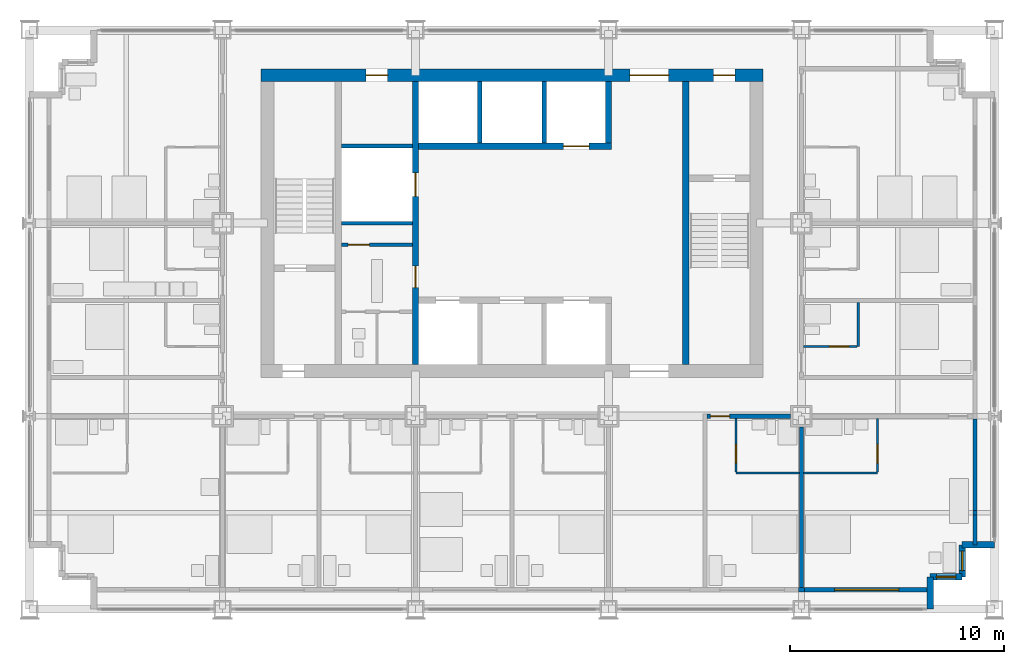
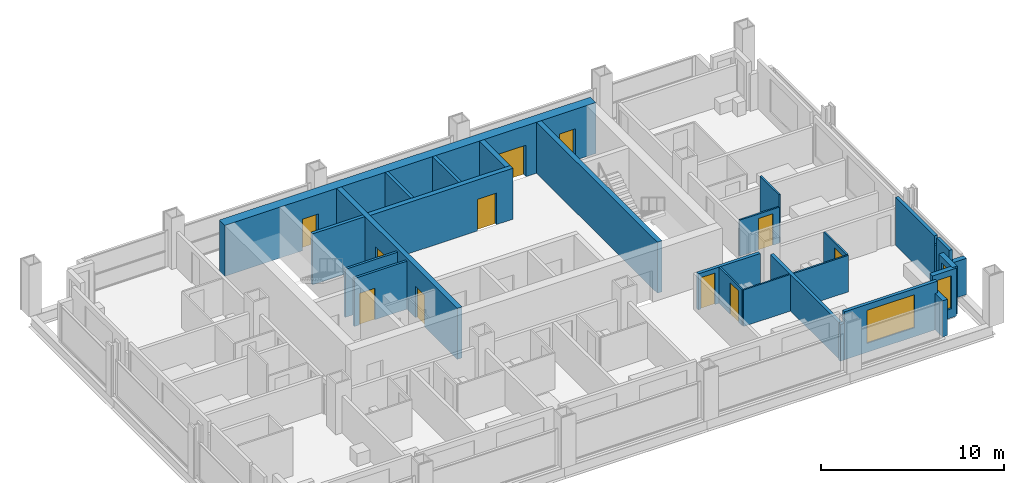
# One storey, part 9 of 13: 27 walls, 11 doors, 3 windows, 14 openings.
"""IFC4 building model written with IfcOpenShell, lengths in metres."""

from ifc_helpers import new_model, si_unit, direction, frame, frame_2d, origin, place, context, subcontext, project, spatial, rectangle, extrude, material, layer, layer_set, type_object, element, fill, save


model = new_model("IFC4")

# Units and contexts
model_context = context("Model", 3, precision=1e-05, world=origin(), true_north=direction((0.0, 1.0)))
body_context = subcontext(model_context, "Body", "Model", "MODEL_VIEW")
ifc_project = project(units=[si_unit("LENGTHUNIT", "METRE"), si_unit("AREAUNIT", "SQUARE_METRE"), si_unit("VOLUMEUNIT", "CUBIC_METRE"), si_unit("PLANEANGLEUNIT", "RADIAN"), si_unit("MASSUNIT", "GRAM", prefix="KILO")], contexts=[model_context])

# Site, building, storey
site_placement = place(None, origin())
site = spatial("IfcSite", under=ifc_project, at=site_placement, CompositionType="ELEMENT")
building_placement = place(site_placement, origin())
building = spatial("IfcBuilding", under=site, at=building_placement, Name="Loomwork Tower", CompositionType="ELEMENT")
storey_placement = place(building_placement, frame((0.0, 0.0, 163.800048828125)))
storey = spatial("IfcBuildingStorey", under=building, at=storey_placement, Name="L44", CompositionType="ELEMENT", Elevation=163.800048828125)

# Wall, openings, doors
ifc_material_1 = material(Name="Concrete 14000 psi (97 MPa)", Category="concrete")
ifc_layer_1 = layer(ifc_material_1, 0.300048828125)
ifc_layer_set_1 = layer_set([ifc_layer_1], Name="Core shear wall 300")
wall_type_1 = type_object("IfcWallType", Name="Core shear wall 300", PredefinedType="SHEAR", material=ifc_layer_set_1)
wall_1_placement = place(storey_placement, frame((18.0, 11.39990234375, 0.0), z_axis=(0.0, 0.0, 1.0), x_axis=(0.0, 1.0, 0.0)))
wall_1 = element("IfcWall", 1, at=wall_1_placement, inside=storey, type_object=wall_type_1, Name="Lobby west wall L44", PredefinedType="SHEAR", context=body_context, shape_type="SweptSolid", body=[
    extrude(rectangle(XDim=13.2001953125, YDim=0.300048828125, at=frame_2d((6.60009765625, 0.0))), origin(), (0.0, 0.0, 1.0), 3.39990234375),
])
opening_1_placement = place(wall_1_placement, frame((3.60009765625, 0.0, 0.0)))
opening_1 = element("IfcOpeningElement", 2, at=opening_1_placement, cuts=wall_1, Name="Opening D5", PredefinedType="OPENING", context=body_context, shape_type="SweptSolid", body=[
    extrude(rectangle(XDim=1.0, YDim=2.10009765625, at=frame_2d((0.5, 1.050048828125))), frame((0.0, 0.159912109375, 0.0), z_axis=(0.0, -1.0, 0.0), x_axis=(1.0, 0.0, 0.0)), (0.0, 0.0, 1.0), 0.320068359375),
])
opening_2_placement = place(wall_1_placement, frame((7.85009765625, 0.0, 0.0)))
opening_2 = element("IfcOpeningElement", 3, at=opening_2_placement, cuts=wall_1, Name="Opening LD1", PredefinedType="OPENING", context=body_context, shape_type="SweptSolid", body=[
    extrude(rectangle(XDim=1.10009765625, YDim=2.10009765625, at=frame_2d((0.550048828125, 1.050048828125))), frame((0.0, 0.159912109375, 0.0), z_axis=(0.0, -1.0, 0.0), x_axis=(1.0, 0.0, 0.0)), (0.0, 0.0, 1.0), 0.320068359375),
])
ifc_material_2 = material(Name="Hollow metal door and frame")
door_type_1 = type_object("IfcDoorType", Name="Lift landing door 1100", OperationType="SLIDING_TO_LEFT", PredefinedType="DOOR", material=ifc_material_2)
door_1_placement = place(opening_2_placement, origin())
door_1 = element("IfcDoor", 4, at=door_1_placement, inside=storey, type_object=door_type_1, Name="Lift landing door LC2", OperationType="SLIDING_TO_LEFT", OverallHeight=2.10009765625, OverallWidth=1.10009765625, PredefinedType="DOOR", context=body_context, shape_type="SweptSolid", body=[
    extrude(rectangle(XDim=1.10009765625, YDim=2.10009765625, at=frame_2d((0.550048828125, 1.050048828125))), frame((0.0, 0.02490234375, 0.0), z_axis=(0.0, -1.0, 0.0), x_axis=(1.0, 0.0, 0.0)), (0.0, 0.0, 1.0), 0.050048828125),
])
fill(opening_2, door_1)
ifc_material_3 = material(Name="Hollow metal door and frame")
door_type_2 = type_object("IfcDoorType", Name="Service door 1000", OperationType="SINGLE_SWING_LEFT", PredefinedType="DOOR", material=ifc_material_3)
door_2_placement = place(opening_1_placement, origin())
door_2 = element("IfcDoor", 5, at=door_2_placement, inside=storey, type_object=door_type_2, Name="Back-of-house door south", OperationType="SINGLE_SWING_LEFT", OverallHeight=2.10009765625, OverallWidth=1.0, PredefinedType="DOOR", context=body_context, shape_type="SweptSolid", body=[
    extrude(rectangle(XDim=1.0, YDim=2.10009765625, at=frame_2d((0.5, 1.050048828125))), frame((0.0, 0.02490234375, 0.0), z_axis=(0.0, -1.0, 0.0), x_axis=(1.0, 0.0, 0.0)), (0.0, 0.0, 1.0), 0.050048828125),
])
fill(opening_1, door_2)

# Wall, opening, door
wall_2_placement = place(storey_placement, frame((18.14990234375, 21.60009765625, 0.0), z_axis=(0.0, 0.0, 1.0), x_axis=(1.0, 0.0, 0.0)))
wall_2 = element("IfcWall", 6, at=wall_2_placement, inside=storey, type_object=wall_type_1, Name="Lift front wall north L44", PredefinedType="SHEAR", context=body_context, shape_type="SweptSolid", body=[
    extrude(rectangle(XDim=9.0, YDim=0.300048828125, at=frame_2d((4.5, 0.0))), origin(), (0.0, 0.0, 1.0), 3.39990234375),
])
opening_3_placement = place(wall_2_placement, frame((6.75, 0.0, 0.0)))
opening_3 = element("IfcOpeningElement", 7, at=opening_3_placement, cuts=wall_2, Name="Opening LD2", PredefinedType="OPENING", context=body_context, shape_type="SweptSolid", body=[
    extrude(rectangle(XDim=1.199951171875, YDim=2.10009765625, at=frame_2d((0.60009765625, 1.050048828125))), frame((0.0, 0.159912109375, 0.0), z_axis=(0.0, -1.0, 0.0), x_axis=(1.0, 0.0, 0.0)), (0.0, 0.0, 1.0), 0.320068359375),
])
ifc_material_4 = material(Name="Hollow metal door and frame")
door_type_3 = type_object("IfcDoorType", Name="Lift landing door 1200", OperationType="SLIDING_TO_LEFT", PredefinedType="DOOR", material=ifc_material_4)
door_3_placement = place(opening_3_placement, origin())
door_3 = element("IfcDoor", 8, at=door_3_placement, inside=storey, type_object=door_type_3, Name="Lift landing door LF2", OperationType="SLIDING_TO_LEFT", OverallHeight=2.10009765625, OverallWidth=1.199951171875, PredefinedType="DOOR", context=body_context, shape_type="SweptSolid", body=[
    extrude(rectangle(XDim=1.199951171875, YDim=2.10009765625, at=frame_2d((0.60009765625, 1.050048828125))), frame((0.0, 0.02490234375, 0.0), z_axis=(0.0, -1.0, 0.0), x_axis=(1.0, 0.0, 0.0)), (0.0, 0.0, 1.0), 0.050048828125),
])
fill(opening_3, door_3)

# Walls
wall_3_placement = place(storey_placement, frame((27.0, 21.75, 0.0), z_axis=(0.0, 0.0, 1.0), x_axis=(0.0, 1.0, 0.0)))
element("IfcWall", 9, at=wall_3_placement, inside=storey, type_object=wall_type_1, Name="Lift shaft end wall north L44", PredefinedType="SHEAR", context=body_context, shape_type="SweptSolid", body=[
    extrude(rectangle(XDim=2.85009765625, YDim=0.300048828125, at=frame_2d((1.425048828125, 0.0))), origin(), (0.0, 0.0, 1.0), 3.39990234375),
])
wall_4_placement = place(storey_placement, frame((30.60009765625, 11.39990234375, 0.0), z_axis=(0.0, 0.0, 1.0), x_axis=(0.0, 1.0, 0.0)))
element("IfcWall", 10, at=wall_4_placement, inside=storey, type_object=wall_type_1, Name="Stair B west wall L44", PredefinedType="SHEAR", context=body_context, shape_type="SweptSolid", body=[
    extrude(rectangle(XDim=13.2001953125, YDim=0.300048828125, at=frame_2d((6.60009765625, 0.0))), origin(), (0.0, 0.0, 1.0), 3.39990234375),
])

# Wall, openings, doors
ifc_material_5 = material(Name="Concrete 14000 psi (97 MPa)", Category="concrete")
ifc_layer_2 = layer(ifc_material_5, 0.60009765625)
ifc_layer_set_2 = layer_set([ifc_layer_2], Name="Core shear wall 600")
wall_type_2 = type_object("IfcWallType", Name="Core shear wall 600", PredefinedType="SHEAR", material=ifc_layer_set_2)
wall_5_placement = place(storey_placement, frame((10.800048828125, 24.89990234375, 0.0), z_axis=(0.0, 0.0, 1.0), x_axis=(1.0, 0.0, 0.0)))
wall_5 = element("IfcWall", 11, at=wall_5_placement, inside=storey, type_object=wall_type_2, Name="Core wall north L44", PredefinedType="SHEAR", context=body_context, shape_type="SweptSolid", body=[
    extrude(rectangle(XDim=23.39990234375, YDim=0.60009765625, at=frame_2d((11.699951171875, 0.0))), origin(), (0.0, 0.0, 1.0), 3.39990234375),
])
opening_4_placement = place(wall_5_placement, frame((17.199951171875, 0.0, 0.0)))
opening_4 = element("IfcOpeningElement", 12, at=opening_4_placement, cuts=wall_5, Name="Opening D6", PredefinedType="OPENING", context=body_context, shape_type="SweptSolid", body=[
    extrude(rectangle(XDim=1.800048828125, YDim=2.10009765625, at=frame_2d((0.89990234375, 1.050048828125))), frame((0.0, 0.31005859375, 0.0), z_axis=(0.0, -1.0, 0.0), x_axis=(1.0, 0.0, 0.0)), (0.0, 0.0, 1.0), 0.6201171875),
])
opening_5_placement = place(wall_5_placement, frame((21.10009765625, 0.0, 0.0)))
opening_5 = element("IfcOpeningElement", 13, at=opening_5_placement, cuts=wall_5, Name="Opening D4", PredefinedType="OPENING", context=body_context, shape_type="SweptSolid", body=[
    extrude(rectangle(XDim=1.0, YDim=2.10009765625, at=frame_2d((0.5, 1.050048828125))), frame((0.0, 0.31005859375, 0.0), z_axis=(0.0, -1.0, 0.0), x_axis=(1.0, 0.0, 0.0)), (0.0, 0.0, 1.0), 0.6201171875),
])
opening_6_placement = place(wall_5_placement, frame((4.89990234375, 0.0, 0.0)))
opening_6 = element("IfcOpeningElement", 14, at=opening_6_placement, cuts=wall_5, Name="Opening D5", PredefinedType="OPENING", context=body_context, shape_type="SweptSolid", body=[
    extrude(rectangle(XDim=1.0, YDim=2.10009765625, at=frame_2d((0.5, 1.050048828125))), frame((0.0, 0.31005859375, 0.0), z_axis=(0.0, -1.0, 0.0), x_axis=(1.0, 0.0, 0.0)), (0.0, 0.0, 1.0), 0.6201171875),
])
ifc_material_6 = material(Name="Hollow metal door and frame")
door_type_4 = type_object("IfcDoorType", Name="Lobby passage double door 1800", OperationType="DOUBLE_DOOR_SINGLE_SWING", PredefinedType="DOOR", material=ifc_material_6)
door_4_placement = place(opening_4_placement, frame((1.800048828125, 0.0, 0.0), z_axis=(0.0, 0.0, 1.0), x_axis=(-1.0, 0.0, 0.0)))
door_4 = element("IfcDoor", 15, at=door_4_placement, inside=storey, type_object=door_type_4, Name="Lobby passage door north", OperationType="DOUBLE_DOOR_SINGLE_SWING", OverallHeight=2.10009765625, OverallWidth=1.800048828125, PredefinedType="DOOR", context=body_context, shape_type="SweptSolid", body=[
    extrude(rectangle(XDim=1.800048828125, YDim=2.10009765625, at=frame_2d((0.89990234375, 1.050048828125))), frame((0.0, 0.02490234375, 0.0), z_axis=(0.0, -1.0, 0.0), x_axis=(1.0, 0.0, 0.0)), (0.0, 0.0, 1.0), 0.050048828125),
])
fill(opening_4, door_4)
door_5_placement = place(opening_6_placement, frame((1.0, 0.0, 0.0), z_axis=(0.0, 0.0, 1.0), x_axis=(-1.0, 0.0, 0.0)))
door_5 = element("IfcDoor", 16, at=door_5_placement, inside=storey, type_object=door_type_2, Name="Back-of-house door north", OperationType="SINGLE_SWING_LEFT", OverallHeight=2.10009765625, OverallWidth=1.0, PredefinedType="DOOR", context=body_context, shape_type="SweptSolid", body=[
    extrude(rectangle(XDim=1.0, YDim=2.10009765625, at=frame_2d((0.5, 1.050048828125))), frame((0.0, 0.02490234375, 0.0), z_axis=(0.0, -1.0, 0.0), x_axis=(1.0, 0.0, 0.0)), (0.0, 0.0, 1.0), 0.050048828125),
])
fill(opening_6, door_5)
ifc_material_7 = material(Name="Hollow metal door and frame")
door_type_5 = type_object("IfcDoorType", Name="Stair door 1000", OperationType="SINGLE_SWING_RIGHT", PredefinedType="DOOR", material=ifc_material_7)
door_6_placement = place(opening_5_placement, frame((1.0, 0.0, 0.0), z_axis=(0.0, 0.0, 1.0), x_axis=(-1.0, 0.0, 0.0)))
door_6 = element("IfcDoor", 17, at=door_6_placement, inside=storey, type_object=door_type_5, Name="Stair B vestibule door", OperationType="SINGLE_SWING_LEFT", OverallHeight=2.10009765625, OverallWidth=1.0, PredefinedType="DOOR", context=body_context, shape_type="SweptSolid", body=[
    extrude(rectangle(XDim=1.0, YDim=2.10009765625, at=frame_2d((0.5, 1.050048828125))), frame((0.0, 0.02490234375, 0.0), z_axis=(0.0, -1.0, 0.0), x_axis=(1.0, 0.0, 0.0)), (0.0, 0.0, 1.0), 0.050048828125),
])
fill(opening_5, door_6)

# Wall, opening, door
ifc_material_8 = material(Name="Gypsum board on steel studs, one-hour", Category="steel")
ifc_layer_3 = layer(ifc_material_8, 0.199951171875)
ifc_layer_set_3 = layer_set([ifc_layer_3], Name="Corridor wall 200")
wall_type_3 = type_object("IfcWallType", Name="Corridor wall 200", PredefinedType="PARTITIONING", material=ifc_layer_set_3)
wall_6_placement = place(storey_placement, frame((31.60009765625, 9.0, 0.0), z_axis=(0.0, 0.0, 1.0), x_axis=(1.0, 0.0, 0.0)))
wall_6 = element("IfcWall", 18, at=wall_6_placement, inside=storey, type_object=wall_type_3, Name="South corridor wall 4", PredefinedType="PARTITIONING", context=body_context, shape_type="SweptSolid", body=[
    extrude(rectangle(XDim=3.89990234375, YDim=0.199951171875, at=frame_2d((1.949951171875, 0.0))), origin(), (0.0, 0.0, 1.0), 2.405029296875),
])
opening_7_placement = place(wall_6_placement, frame((0.14990234375, 0.0, 0.0)))
opening_7 = element("IfcOpeningElement", 19, at=opening_7_placement, cuts=wall_6, Name="Opening D1", PredefinedType="OPENING", context=body_context, shape_type="SweptSolid", body=[
    extrude(rectangle(XDim=0.89990234375, YDim=2.10009765625, at=frame_2d((0.449951171875, 1.050048828125))), frame((0.0, 0.10986328125, 0.0), z_axis=(0.0, -1.0, 0.0), x_axis=(1.0, 0.0, 0.0)), (0.0, 0.0, 1.0), 0.219970703125),
])
ifc_material_9 = material(Name="Hollow metal door and frame")
door_type_6 = type_object("IfcDoorType", Name="Guest room entry door 900", OperationType="SINGLE_SWING_LEFT", PredefinedType="DOOR", material=ifc_material_9)
door_7_placement = place(opening_7_placement, frame((0.89990234375, 0.0, 0.0), z_axis=(0.0, 0.0, 1.0), x_axis=(-1.0, 0.0, 0.0)))
door_7 = element("IfcDoor", 20, at=door_7_placement, inside=storey, type_object=door_type_6, Name="Guest room entry door L44 6", OperationType="SINGLE_SWING_RIGHT", OverallHeight=2.10009765625, OverallWidth=0.89990234375, PredefinedType="DOOR", context=body_context, shape_type="SweptSolid", body=[
    extrude(rectangle(XDim=0.89990234375, YDim=2.10009765625, at=frame_2d((0.449951171875, 1.050048828125))), frame((0.0, 0.02490234375, 0.0), z_axis=(0.0, -1.0, 0.0), x_axis=(1.0, 0.0, 0.0)), (0.0, 0.0, 1.0), 0.050048828125),
])
fill(opening_7, door_7)

# Wall
ifc_material_10 = material(Name="Cement board on steel studs", Category="steel")
ifc_layer_4 = layer(ifc_material_10, 0.10009765625)
ifc_layer_set_4 = layer_set([ifc_layer_4], Name="En-suite partition 100")
wall_type_4 = type_object("IfcWallType", Name="En-suite partition 100", PredefinedType="PARTITIONING", material=ifc_layer_set_4)
wall_7_placement = place(storey_placement, frame((32.949951171875, 6.35009765625, 0.0), z_axis=(0.0, 0.0, 1.0), x_axis=(1.0, 0.0, 0.0)))
element("IfcWall", 21, at=wall_7_placement, inside=storey, type_object=wall_type_4, Name="En-suite wall L44 room 6", PredefinedType="PARTITIONING", context=body_context, shape_type="SweptSolid", body=[
    extrude(rectangle(XDim=2.949951171875, YDim=0.10009765625, at=frame_2d((1.47509765625, 0.0))), origin(), (0.0, 0.0, 1.0), 2.43798828125),
])

# Wall, opening, door
wall_8_placement = place(storey_placement, frame((32.949951171875, 8.89990234375, 0.0), z_axis=(0.0, 0.0, 1.0), x_axis=(0.0, -1.0, 0.0)))
wall_8 = element("IfcWall", 22, at=wall_8_placement, inside=storey, type_object=wall_type_4, Name="En-suite side wall L44 room 6", PredefinedType="PARTITIONING", context=body_context, shape_type="SweptSolid", body=[
    extrude(rectangle(XDim=2.5, YDim=0.10009765625, at=frame_2d((1.25, 0.0))), origin(), (0.0, 0.0, 1.0), 2.404052734375),
])
opening_8_placement = place(wall_8_placement, frame((1.199951171875, 0.0, 0.0)))
opening_8 = element("IfcOpeningElement", 23, at=opening_8_placement, cuts=wall_8, Name="Opening D2", PredefinedType="OPENING", context=body_context, shape_type="SweptSolid", body=[
    extrude(rectangle(XDim=0.89990234375, YDim=2.10009765625, at=frame_2d((0.449951171875, 1.050048828125))), frame((0.0, 0.06005859375, 0.0), z_axis=(0.0, -1.0, 0.0), x_axis=(1.0, 0.0, 0.0)), (0.0, 0.0, 1.0), 0.1201171875),
])
ifc_material_11 = material(Name="Hollow metal door and frame")
door_type_7 = type_object("IfcDoorType", Name="En-suite door 900", OperationType="SINGLE_SWING_LEFT", PredefinedType="DOOR", material=ifc_material_11)
door_8_placement = place(opening_8_placement, origin())
door_8 = element("IfcDoor", 24, at=door_8_placement, inside=storey, type_object=door_type_7, Name="En-suite door room 6", OperationType="SINGLE_SWING_RIGHT", OverallHeight=2.10009765625, OverallWidth=0.89990234375, PredefinedType="DOOR", context=body_context, shape_type="SweptSolid", body=[
    extrude(rectangle(XDim=0.89990234375, YDim=2.10009765625, at=frame_2d((0.449951171875, 1.050048828125))), frame((0.0, 0.02490234375, 0.0), z_axis=(0.0, -1.0, 0.0), x_axis=(1.0, 0.0, 0.0)), (0.0, 0.0, 1.0), 0.050048828125),
])
fill(opening_8, door_8)

# Wall
wall_9_placement = place(storey_placement, frame((36.10009765625, 6.35009765625, 0.0), z_axis=(0.0, 0.0, 1.0), x_axis=(1.0, 0.0, 0.0)))
element("IfcWall", 25, at=wall_9_placement, inside=storey, type_object=wall_type_4, Name="En-suite wall L44 room 7", PredefinedType="PARTITIONING", context=body_context, shape_type="SweptSolid", body=[
    extrude(rectangle(XDim=3.449951171875, YDim=0.10009765625, at=frame_2d((1.72509765625, 0.0))), origin(), (0.0, 0.0, 1.0), 2.43798828125),
])

# Wall, opening, door
wall_10_placement = place(storey_placement, frame((39.550048828125, 8.89990234375, 0.0), z_axis=(0.0, 0.0, 1.0), x_axis=(0.0, -1.0, 0.0)))
wall_10 = element("IfcWall", 26, at=wall_10_placement, inside=storey, type_object=wall_type_4, Name="En-suite side wall L44 room 7", PredefinedType="PARTITIONING", context=body_context, shape_type="SweptSolid", body=[
    extrude(rectangle(XDim=2.5, YDim=0.10009765625, at=frame_2d((1.25, 0.0))), origin(), (0.0, 0.0, 1.0), 2.43798828125),
])
opening_9_placement = place(wall_10_placement, frame((1.199951171875, 0.0, 0.0)))
opening_9 = element("IfcOpeningElement", 27, at=opening_9_placement, cuts=wall_10, Name="Opening D2", PredefinedType="OPENING", context=body_context, shape_type="SweptSolid", body=[
    extrude(rectangle(XDim=0.89990234375, YDim=2.10009765625, at=frame_2d((0.449951171875, 1.050048828125))), frame((0.0, 0.06005859375, 0.0), z_axis=(0.0, -1.0, 0.0), x_axis=(1.0, 0.0, 0.0)), (0.0, 0.0, 1.0), 0.1201171875),
])
door_9_placement = place(opening_9_placement, frame((0.89990234375, 0.0, 0.0), z_axis=(0.0, 0.0, 1.0), x_axis=(-1.0, 0.0, 0.0)))
door_9 = element("IfcDoor", 28, at=door_9_placement, inside=storey, type_object=door_type_7, Name="En-suite door room 7", OperationType="SINGLE_SWING_LEFT", OverallHeight=2.10009765625, OverallWidth=0.89990234375, PredefinedType="DOOR", context=body_context, shape_type="SweptSolid", body=[
    extrude(rectangle(XDim=0.89990234375, YDim=2.10009765625, at=frame_2d((0.449951171875, 1.050048828125))), frame((0.0, 0.02490234375, 0.0), z_axis=(0.0, -1.0, 0.0), x_axis=(1.0, 0.0, 0.0)), (0.0, 0.0, 1.0), 0.050048828125),
])
fill(opening_9, door_9)

# Wall
wall_11_placement = place(storey_placement, frame((38.64990234375, 12.25, 0.0), z_axis=(0.0, 0.0, 1.0), x_axis=(0.0, 1.0, 0.0)))
element("IfcWall", 29, at=wall_11_placement, inside=storey, type_object=wall_type_4, Name="En-suite wall L44 room 11", PredefinedType="PARTITIONING", context=body_context, shape_type="SweptSolid", body=[
    extrude(rectangle(XDim=2.050048828125, YDim=0.10009765625, at=frame_2d((1.02490234375, 0.0))), origin(), (0.0, 0.0, 1.0), 3.199951171875),
])

# Wall, opening, door
wall_12_placement = place(storey_placement, frame((36.10009765625, 12.25, 0.0), z_axis=(0.0, 0.0, 1.0), x_axis=(1.0, 0.0, 0.0)))
wall_12 = element("IfcWall", 30, at=wall_12_placement, inside=storey, type_object=wall_type_4, Name="En-suite side wall L44 room 11", PredefinedType="PARTITIONING", context=body_context, shape_type="SweptSolid", body=[
    extrude(rectangle(XDim=2.5, YDim=0.10009765625, at=frame_2d((1.25, 0.0))), origin(), (0.0, 0.0, 1.0), 2.404052734375),
])
opening_10_placement = place(wall_12_placement, frame((1.199951171875, 0.0, 0.0)))
opening_10 = element("IfcOpeningElement", 31, at=opening_10_placement, cuts=wall_12, Name="Opening D2", PredefinedType="OPENING", context=body_context, shape_type="SweptSolid", body=[
    extrude(rectangle(XDim=0.89990234375, YDim=2.10009765625, at=frame_2d((0.449951171875, 1.050048828125))), frame((0.0, 0.06005859375, 0.0), z_axis=(0.0, -1.0, 0.0), x_axis=(1.0, 0.0, 0.0)), (0.0, 0.0, 1.0), 0.1201171875),
])
door_10_placement = place(opening_10_placement, origin())
door_10 = element("IfcDoor", 32, at=door_10_placement, inside=storey, type_object=door_type_7, Name="En-suite door room 11", OperationType="SINGLE_SWING_RIGHT", OverallHeight=2.10009765625, OverallWidth=0.89990234375, PredefinedType="DOOR", context=body_context, shape_type="SweptSolid", body=[
    extrude(rectangle(XDim=0.89990234375, YDim=2.10009765625, at=frame_2d((0.449951171875, 1.050048828125))), frame((0.0, 0.02490234375, 0.0), z_axis=(0.0, -1.0, 0.0), x_axis=(1.0, 0.0, 0.0)), (0.0, 0.0, 1.0), 0.050048828125),
])
fill(opening_10, door_10)

# Walls
ifc_material_12 = material(Name="Gypsum board on steel studs, acoustic", Category="steel")
ifc_layer_5 = layer(ifc_material_12, 0.199951171875)
ifc_layer_set_5 = layer_set([ifc_layer_5], Name="Guest room party wall 200")
wall_type_5 = type_object("IfcWallType", Name="Guest room party wall 200", PredefinedType="PARTITIONING", material=ifc_layer_set_5)
wall_13_placement = place(storey_placement, frame((36.0, 8.5, 0.0), z_axis=(0.0, 0.0, 1.0), x_axis=(0.0, -1.0, 0.0)))
element("IfcWall", 33, at=wall_13_placement, inside=storey, type_object=wall_type_5, Name="Guest room party wall S 36", PredefinedType="PARTITIONING", context=body_context, shape_type="SweptSolid", body=[
    extrude(rectangle(XDim=7.5, YDim=0.199951171875, at=frame_2d((3.75, 0.0))), origin(), (0.0, 0.0, 1.0), 2.43798828125),
])
ifc_material_13 = material(Name="Insulated steel stud wall with gypsum lining", Category="steel")
ifc_layer_6 = layer(ifc_material_13, 0.199951171875)
ifc_layer_set_6 = layer_set([ifc_layer_6], Name="Inner skin wall 200")
wall_type_6 = type_object("IfcWallType", Name="Inner skin wall 200", PredefinedType="SOLIDWALL", material=ifc_layer_set_6)
wall_14_placement = place(storey_placement, frame((44.10009765625, 3.0, 0.0), z_axis=(0.0, 0.0, 1.0), x_axis=(0.0, 1.0, 0.0)))
element("IfcWall", 34, at=wall_14_placement, inside=storey, type_object=wall_type_6, Name="Inner skin wall E", PredefinedType="SOLIDWALL", context=body_context, shape_type="SweptSolid", body=[
    extrude(rectangle(XDim=1.392578125, YDim=0.199951171875, at=frame_2d((0.6962890625, 0.0))), origin(), (0.0, 0.0, 1.0), 3.199951171875),
])
wall_15_placement = place(storey_placement, frame((35.864501953125, 0.89990234375, 0.0), z_axis=(0.0, 0.0, 1.0), x_axis=(1.0, 0.0, 0.0)))
element("IfcWall", 35, at=wall_15_placement, inside=storey, type_object=wall_type_6, Name="Inner skin wall S bay 8", PredefinedType="SOLIDWALL", context=body_context, shape_type="SweptSolid", body=[
    extrude(rectangle(XDim=0.27099609375, YDim=0.199951171875, at=frame_2d((0.135498046875, 0.0))), origin(), (0.0, 0.0, 1.0), 2.43798828125),
])

# Wall, opening, window
wall_16_placement = place(storey_placement, frame((36.135498046875, 0.89990234375, 0.0), z_axis=(0.0, 0.0, 1.0), x_axis=(1.0, 0.0, 0.0)))
wall_16 = element("IfcWall", 36, at=wall_16_placement, inside=storey, type_object=wall_type_6, Name="Inner skin wall S bay 9", PredefinedType="SOLIDWALL", context=body_context, shape_type="SweptSolid", body=[
    extrude(rectangle(XDim=5.864501953125, YDim=0.199951171875, at=frame_2d((2.93212890625, 0.0))), origin(), (0.0, 0.0, 1.0), 3.199951171875),
])
opening_11_placement = place(wall_16_placement, frame((1.41455078125, 0.0, 0.60009765625)))
opening_11 = element("IfcOpeningElement", 37, at=opening_11_placement, cuts=wall_16, Name="Opening CH1", PredefinedType="OPENING", context=body_context, shape_type="SweptSolid", body=[
    extrude(rectangle(XDim=3.0, YDim=2.199951171875, at=frame_2d((1.5, 1.10009765625))), frame((0.0, 0.10986328125, 0.0), z_axis=(0.0, -1.0, 0.0), x_axis=(1.0, 0.0, 0.0)), (0.0, 0.0, 1.0), 0.219970703125),
])
ifc_material_14 = material(Name="Aluminium frame with clear insulated glass", Category="aluminium")
window_type_1 = type_object("IfcWindowType", Name="Chicago window 3000", PartitioningType="TRIPLE_PANEL_VERTICAL", PredefinedType="WINDOW", material=ifc_material_14)
window_1_placement = place(opening_11_placement, origin())
window_1 = element("IfcWindow", 38, at=window_1_placement, inside=storey, type_object=window_type_1, Name="Chicago window L44 bay 5", OverallHeight=2.199951171875, OverallWidth=3.0, PartitioningType="TRIPLE_PANEL_VERTICAL", PredefinedType="WINDOW", context=body_context, shape_type="SweptSolid", body=[
    extrude(rectangle(XDim=3.0, YDim=2.199951171875, at=frame_2d((1.5, 1.10009765625))), frame((0.0, 0.030029296875, 0.0), z_axis=(0.0, -1.0, 0.0), x_axis=(1.0, 0.0, 0.0)), (0.0, 0.0, 1.0), 0.06005859375),
])
fill(opening_11, window_1)

# Walls
wall_17_placement = place(storey_placement, frame((44.10009765625, 4.392578125, 0.0), z_axis=(0.0, 0.0, 1.0), x_axis=(0.0, 1.0, 0.0)))
element("IfcWall", 39, at=wall_17_placement, inside=storey, type_object=wall_type_6, Name="Inner skin wall E bay 2", PredefinedType="SOLIDWALL", context=body_context, shape_type="SweptSolid", body=[
    extrude(rectangle(XDim=0.21484375, YDim=0.199951171875, at=frame_2d((0.107421875, 0.0))), origin(), (0.0, 0.0, 1.0), 2.660888671875),
])
wall_18_placement = place(storey_placement, frame((44.10009765625, 4.607421875, 0.0), z_axis=(0.0, 0.0, 1.0), x_axis=(0.0, 1.0, 0.0)))
element("IfcWall", 40, at=wall_18_placement, inside=storey, type_object=wall_type_6, Name="Inner skin wall E bay 3", PredefinedType="SOLIDWALL", context=body_context, shape_type="SweptSolid", body=[
    extrude(rectangle(XDim=4.25732421875, YDim=0.199951171875, at=frame_2d((2.128662109375, 0.0))), origin(), (0.0, 0.0, 1.0), 3.199951171875),
])
ifc_material_15 = material(Name="Concrete 14000 psi (97 MPa)", Category="concrete")
ifc_layer_7 = layer(ifc_material_15, 0.199951171875)
ifc_layer_set_7 = layer_set([ifc_layer_7], Name="Lift shaft wall 200")
wall_type_7 = type_object("IfcWallType", Name="Lift shaft wall 200", PredefinedType="SHEAR", material=ifc_layer_set_7)
for number, where, z_axis, x_axis, name in (
    (41, (21.0, 21.75, 0.0), (0.0, 0.0, 1.0), (0.0, 1.0, 0.0), "Lift shaft separation wall north 1 L44"),
    (42, (24.0, 21.75, 0.0), (0.0, 0.0, 1.0), (0.0, 1.0, 0.0), "Lift shaft separation wall north 2 L44"),
):
    element("IfcWall", number, at=place(storey_placement, frame(where, z_axis=z_axis, x_axis=x_axis)), inside=storey, type_object=wall_type_7, Name=name, PredefinedType="SHEAR", context=body_context, shape_type="SweptSolid", body=[
        extrude(rectangle(XDim=2.85009765625, YDim=0.199951171875, at=frame_2d((1.425048828125, 0.0))), origin(), (0.0, 0.0, 1.0), 3.39990234375),
    ])
wall_19_placement = place(storey_placement, frame((14.550048828125, 21.60009765625, 0.0), z_axis=(0.0, 0.0, 1.0), x_axis=(1.0, 0.0, 0.0)))
element("IfcWall", 43, at=wall_19_placement, inside=storey, type_object=wall_type_7, Name="Lift shaft wall west north L44", PredefinedType="SHEAR", context=body_context, shape_type="SweptSolid", body=[
    extrude(rectangle(XDim=3.300048828125, YDim=0.199951171875, at=frame_2d((1.64990234375, 0.0))), origin(), (0.0, 0.0, 1.0), 3.39990234375),
])
ifc_material_16 = material(Name="Limestone on concrete masonry", Category="masonry")
ifc_layer_8 = layer(ifc_material_16, 0.300048828125)
ifc_layer_set_8 = layer_set([ifc_layer_8], Name="Limestone corner wall 300")
wall_type_8 = type_object("IfcWallType", Name="Limestone corner wall 300", PredefinedType="SOLIDWALL", material=ifc_layer_set_8)
wall_20_placement = place(storey_placement, frame((42.0, 0.0, 0.0), z_axis=(0.0, 0.0, 1.0), x_axis=(0.0, 1.0, 0.0)))
element("IfcWall", 44, at=wall_20_placement, inside=storey, type_object=wall_type_8, Name="Stone corner wall SE 1", PredefinedType="SOLIDWALL", context=body_context, shape_type="SweptSolid", body=[
    extrude(rectangle(XDim=1.5, YDim=0.300048828125, at=frame_2d((0.75, 0.0))), origin(), (0.0, 0.0, 1.0), 2.419921875),
])

# Wall, opening, window
wall_21_placement = place(storey_placement, frame((42.0, 1.5, 0.0), z_axis=(0.0, 0.0, 1.0), x_axis=(1.0, 0.0, 0.0)))
wall_21 = element("IfcWall", 45, at=wall_21_placement, inside=storey, type_object=wall_type_8, Name="Stone corner wall SE 2", PredefinedType="SOLIDWALL", context=body_context, shape_type="SweptSolid", body=[
    extrude(rectangle(XDim=1.5, YDim=0.300048828125, at=frame_2d((0.75, 0.0))), origin(), (0.0, 0.0, 1.0), 3.199951171875),
])
opening_12_placement = place(wall_21_placement, frame((0.300048828125, 0.0, 0.60009765625)))
opening_12 = element("IfcOpeningElement", 46, at=opening_12_placement, cuts=wall_21, Name="Opening CH2", PredefinedType="OPENING", context=body_context, shape_type="SweptSolid", body=[
    extrude(rectangle(XDim=0.89990234375, YDim=2.199951171875, at=frame_2d((0.449951171875, 1.10009765625))), frame((0.0, 0.159912109375, 0.0), z_axis=(0.0, -1.0, 0.0), x_axis=(1.0, 0.0, 0.0)), (0.0, 0.0, 1.0), 0.320068359375),
])
ifc_material_17 = material(Name="Aluminium frame with clear insulated glass", Category="aluminium")
window_type_2 = type_object("IfcWindowType", Name="Corner window 900", PartitioningType="SINGLE_PANEL", PredefinedType="WINDOW", material=ifc_material_17)
window_2_placement = place(opening_12_placement, origin())
window_2 = element("IfcWindow", 47, at=window_2_placement, inside=storey, type_object=window_type_2, Name="Corner window SE", OverallHeight=2.199951171875, OverallWidth=0.89990234375, PartitioningType="SINGLE_PANEL", PredefinedType="WINDOW", context=body_context, shape_type="SweptSolid", body=[
    extrude(rectangle(XDim=0.89990234375, YDim=2.199951171875, at=frame_2d((0.449951171875, 1.10009765625))), frame((0.0, 0.030029296875, 0.0), z_axis=(0.0, -1.0, 0.0), x_axis=(1.0, 0.0, 0.0)), (0.0, 0.0, 1.0), 0.06005859375),
])
fill(opening_12, window_2)

wall_22_placement = place(storey_placement, frame((43.5, 1.5, 0.0), z_axis=(0.0, 0.0, 1.0), x_axis=(0.0, 1.0, 0.0)))
wall_22 = element("IfcWall", 48, at=wall_22_placement, inside=storey, type_object=wall_type_8, Name="Stone corner wall SE 3", PredefinedType="SOLIDWALL", context=body_context, shape_type="SweptSolid", body=[
    extrude(rectangle(XDim=1.5, YDim=0.300048828125, at=frame_2d((0.75, 0.0))), origin(), (0.0, 0.0, 1.0), 3.199951171875),
])
opening_13_placement = place(wall_22_placement, frame((0.300048828125, 0.0, 0.60009765625)))
opening_13 = element("IfcOpeningElement", 49, at=opening_13_placement, cuts=wall_22, Name="Opening CH2", PredefinedType="OPENING", context=body_context, shape_type="SweptSolid", body=[
    extrude(rectangle(XDim=0.89990234375, YDim=2.199951171875, at=frame_2d((0.449951171875, 1.10009765625))), frame((0.0, 0.159912109375, 0.0), z_axis=(0.0, -1.0, 0.0), x_axis=(1.0, 0.0, 0.0)), (0.0, 0.0, 1.0), 0.320068359375),
])
window_3_placement = place(opening_13_placement, origin())
window_3 = element("IfcWindow", 50, at=window_3_placement, inside=storey, type_object=window_type_2, Name="Corner window SE", OverallHeight=2.199951171875, OverallWidth=0.89990234375, PartitioningType="SINGLE_PANEL", PredefinedType="WINDOW", context=body_context, shape_type="SweptSolid", body=[
    extrude(rectangle(XDim=0.89990234375, YDim=2.199951171875, at=frame_2d((0.449951171875, 1.10009765625))), frame((0.0, 0.030029296875, 0.0), z_axis=(0.0, -1.0, 0.0), x_axis=(1.0, 0.0, 0.0)), (0.0, 0.0, 1.0), 0.06005859375),
])
fill(opening_13, window_3)

# Walls
wall_23_placement = place(storey_placement, frame((43.5, 3.0, 0.0), z_axis=(0.0, 0.0, 1.0), x_axis=(1.0, 0.0, 0.0)))
element("IfcWall", 51, at=wall_23_placement, inside=storey, type_object=wall_type_8, Name="Stone corner wall SE 4", PredefinedType="SOLIDWALL", context=body_context, shape_type="SweptSolid", body=[
    extrude(rectangle(XDim=1.5, YDim=0.300048828125, at=frame_2d((0.75, 0.0))), origin(), (0.0, 0.0, 1.0), 2.419921875),
])
ifc_material_18 = material(Name="Gypsum board on steel studs", Category="steel")
ifc_layer_9 = layer(ifc_material_18, 0.14990234375)
ifc_layer_set_9 = layer_set([ifc_layer_9], Name="Partition 150 two-hour")
wall_type_9 = type_object("IfcWallType", Name="Partition 150 two-hour", PredefinedType="PARTITIONING", material=ifc_layer_set_9)
wall_24_placement = place(storey_placement, frame((14.550048828125, 18.0, 0.0), z_axis=(0.0, 0.0, 1.0), x_axis=(1.0, 0.0, 0.0)))
element("IfcWall", 52, at=wall_24_placement, inside=storey, type_object=wall_type_9, Name="Back-of-house dividing wall L44", PredefinedType="PARTITIONING", context=body_context, shape_type="SweptSolid", body=[
    extrude(rectangle(XDim=3.300048828125, YDim=0.14990234375, at=frame_2d((1.64990234375, 0.0))), origin(), (0.0, 0.0, 1.0), 3.199951171875),
])

# Wall, opening, door
ifc_material_19 = material(Name="Gypsum board on steel studs, one-hour", Category="steel")
ifc_layer_10 = layer(ifc_material_19, 0.14990234375)
ifc_layer_set_10 = layer_set([ifc_layer_10], Name="Service partition 150")
wall_type_10 = type_object("IfcWallType", Name="Service partition 150", PredefinedType="PARTITIONING", material=ifc_layer_set_10)
wall_25_placement = place(storey_placement, frame((14.550048828125, 17.0, 0.0), z_axis=(0.0, 0.0, 1.0), x_axis=(1.0, 0.0, 0.0)))
wall_25 = element("IfcWall", 53, at=wall_25_placement, inside=storey, type_object=wall_type_10, Name="Riser enclosure L44", PredefinedType="PARTITIONING", context=body_context, shape_type="SweptSolid", body=[
    extrude(rectangle(XDim=3.300048828125, YDim=0.14990234375, at=frame_2d((1.64990234375, 0.0))), origin(), (0.0, 0.0, 1.0), 3.199951171875),
])
opening_14_placement = place(wall_25_placement, frame((0.300048828125, 0.0, 0.0)))
opening_14 = element("IfcOpeningElement", 54, at=opening_14_placement, cuts=wall_25, Name="Opening D18", PredefinedType="OPENING", context=body_context, shape_type="SweptSolid", body=[
    extrude(rectangle(XDim=1.0, YDim=2.10009765625, at=frame_2d((0.5, 1.050048828125))), frame((0.0, 0.0849609375, 0.0), z_axis=(0.0, -1.0, 0.0), x_axis=(1.0, 0.0, 0.0)), (0.0, 0.0, 1.0), 0.169921875),
])
ifc_material_20 = material(Name="Hollow metal door and frame")
door_type_8 = type_object("IfcDoorType", Name="Ninety-minute service door 1000", OperationType="SINGLE_SWING_LEFT", PredefinedType="DOOR", material=ifc_material_20)
door_11_placement = place(opening_14_placement, frame((1.0, 0.0, 0.0), z_axis=(0.0, 0.0, 1.0), x_axis=(-1.0, 0.0, 0.0)))
door_11 = element("IfcDoor", 55, at=door_11_placement, inside=storey, type_object=door_type_8, Name="Riser access door", OperationType="SINGLE_SWING_RIGHT", OverallHeight=2.10009765625, OverallWidth=1.0, PredefinedType="DOOR", context=body_context, shape_type="SweptSolid", body=[
    extrude(rectangle(XDim=1.0, YDim=2.10009765625, at=frame_2d((0.5, 1.050048828125))), frame((0.0, 0.02490234375, 0.0), z_axis=(0.0, -1.0, 0.0), x_axis=(1.0, 0.0, 0.0)), (0.0, 0.0, 1.0), 0.050048828125),
])
fill(opening_14, door_11)

save(model, "model.ifc")
